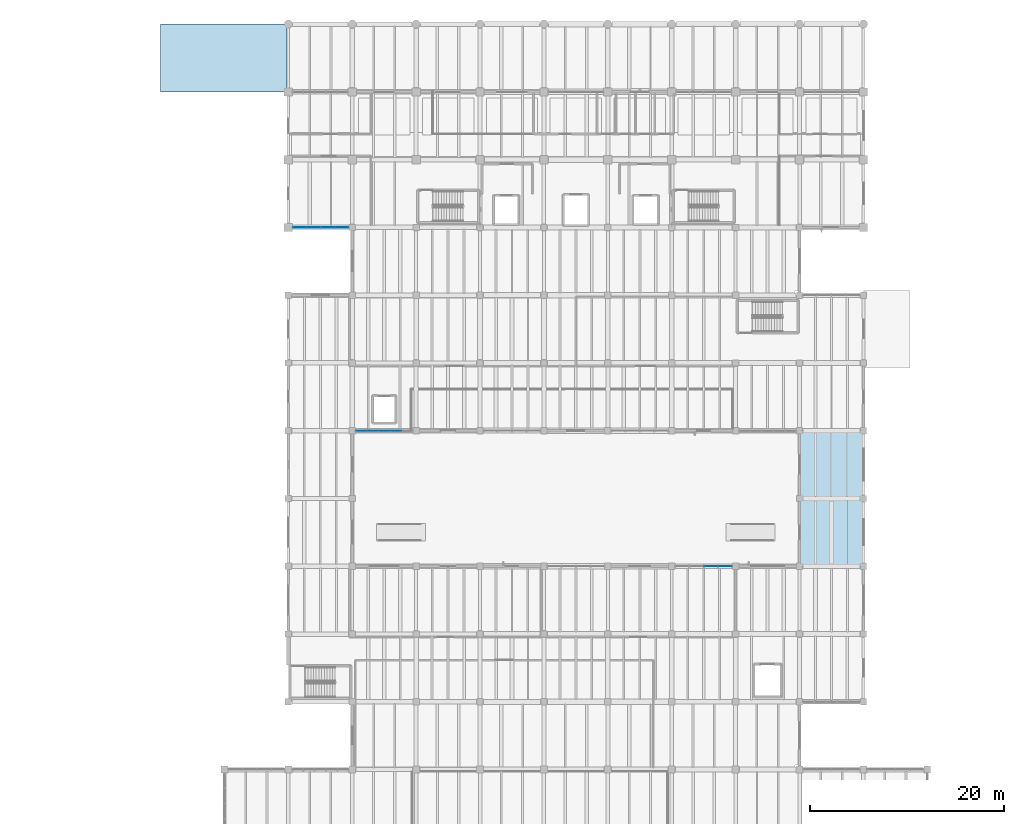
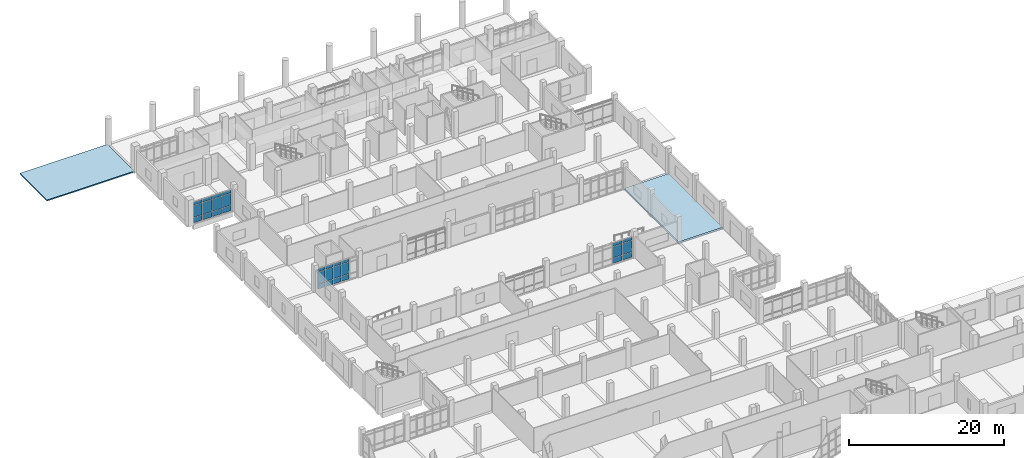
# One storey, part 38 of 69: 30 plates, 2 slabs, 3 elements without a shape of their own.
"""IFC4 building model written with IfcOpenShell, lengths in metres."""

from ifc_helpers import new_model, si_unit, direction, frame, origin, origin_2d, place, context, subcontext, project, spatial, polyline, rectangle, outline, extrude, material, layer, layer_set, type_object, element, aggregate, save


model = new_model("IFC4")

# Units and contexts
model_context = context("Model", 3, precision=1e-05, world=origin(), true_north=direction((0.0, 1.0)))
body_context = subcontext(model_context, "Body", "Model", "MODEL_VIEW")
ifc_project = project(units=[si_unit("LENGTHUNIT", "METRE"), si_unit("AREAUNIT", "SQUARE_METRE"), si_unit("VOLUMEUNIT", "CUBIC_METRE"), si_unit("PLANEANGLEUNIT", "RADIAN"), si_unit("MASSUNIT", "GRAM", prefix="KILO")], contexts=[model_context])

# Site, building, storey
site_placement = place(None, origin())
site = spatial("IfcSite", under=ifc_project, at=site_placement, CompositionType="ELEMENT")
building_placement = place(site_placement, origin())
building = spatial("IfcBuilding", under=site, at=building_placement, Name="Ciguamira Faculty of Natural Sciences", CompositionType="ELEMENT")
storey_placement = place(building_placement, origin())
storey = spatial("IfcBuildingStorey", under=building, at=storey_placement, Name="L00", CompositionType="ELEMENT", Elevation=0.0)

# Curtain wall, plates
ifc_material_1 = material(Name="Anodized aluminium curtain wall", Category="aluminium")
curtain_wall_type_1 = type_object("IfcCurtainWallType", Name="CurtainWall_CW-11", PredefinedType="USERDEFINED", material=ifc_material_1)
curtain_wall_1_placement = place(storey_placement, origin())
curtain_wall_1 = element("IfcCurtainWall", 1, at=curtain_wall_1_placement, inside=storey, type_object=curtain_wall_type_1, Name="L00 unitised curtain wall 0011", ObjectType="UNITISED CURTAIN WALL", PredefinedType="USERDEFINED")
ifc_material_2 = material(Name="Low-E laminated solar glass", Category="glass")
ifc_layer_1 = layer(ifc_material_2, 0.028076171875, Name="Low-E laminated solar glass")
ifc_layer_set_1 = layer_set([ifc_layer_1], Name="Low-E laminated solar glass")
plate_type_1 = type_object("IfcPlateType", Name="CWPanel_CWP-01", PredefinedType="CURTAIN_PANEL", material=ifc_layer_set_1)
plate_1_placement = place(storey_placement, frame((100.94384765625, 59.0, 0.070068359375), z_axis=(0.0, 0.0, 1.0), x_axis=(1.0, 0.0, 0.0)))
plate_1 = element("IfcPlate", 2, at=plate_1_placement, type_object=plate_type_1, Name="CW-11 panel 3.1", PredefinedType="CURTAIN_PANEL", context=body_context, shape_type="SweptSolid", body=[
    extrude(rectangle(XDim=1.41748046875, YDim=0.028076171875, at=origin_2d()), origin(), (0.0, 0.0, 1.0), 0.794921875),
])
plate_2_placement = place(storey_placement, frame((100.94384765625, 59.0, 0.93505859375), z_axis=(0.0, 0.0, 1.0), x_axis=(1.0, 0.0, 0.0)))
plate_2 = element("IfcPlate", 3, at=plate_2_placement, type_object=plate_type_1, Name="CW-11 panel 3.2", PredefinedType="CURTAIN_PANEL", context=body_context, shape_type="SweptSolid", body=[
    extrude(rectangle(XDim=1.41748046875, YDim=0.028076171875, at=origin_2d()), origin(), (0.0, 0.0, 1.0), 1.764892578125),
])
plate_3_placement = place(storey_placement, frame((100.94384765625, 59.0, 2.77001953125), z_axis=(0.0, 0.0, 1.0), x_axis=(1.0, 0.0, 0.0)))
plate_3 = element("IfcPlate", 4, at=plate_3_placement, type_object=plate_type_1, Name="CW-11 panel 3.3", PredefinedType="CURTAIN_PANEL", context=body_context, shape_type="SweptSolid", body=[
    extrude(rectangle(XDim=1.41748046875, YDim=0.028076171875, at=origin_2d()), origin(), (0.0, 0.0, 1.0), 0.445068359375),
])
plate_4_placement = place(storey_placement, frame((102.413818359375, 59.0, 0.070068359375), z_axis=(0.0, 0.0, 1.0), x_axis=(1.0, 0.0, 0.0)))
plate_4 = element("IfcPlate", 5, at=plate_4_placement, type_object=plate_type_1, Name="CW-11 panel 4.1", PredefinedType="CURTAIN_PANEL", context=body_context, shape_type="SweptSolid", body=[
    extrude(rectangle(XDim=1.382568359375, YDim=0.028076171875, at=origin_2d()), origin(), (0.0, 0.0, 1.0), 0.794921875),
])
plate_5_placement = place(storey_placement, frame((102.413818359375, 59.0, 0.93505859375), z_axis=(0.0, 0.0, 1.0), x_axis=(1.0, 0.0, 0.0)))
plate_5 = element("IfcPlate", 6, at=plate_5_placement, type_object=plate_type_1, Name="CW-11 panel 4.2", PredefinedType="CURTAIN_PANEL", context=body_context, shape_type="SweptSolid", body=[
    extrude(rectangle(XDim=1.382568359375, YDim=0.028076171875, at=origin_2d()), origin(), (0.0, 0.0, 1.0), 1.764892578125),
])
plate_6_placement = place(storey_placement, frame((102.413818359375, 59.0, 2.77001953125), z_axis=(0.0, 0.0, 1.0), x_axis=(1.0, 0.0, 0.0)))
plate_6 = element("IfcPlate", 7, at=plate_6_placement, type_object=plate_type_1, Name="CW-11 panel 4.3", PredefinedType="CURTAIN_PANEL", context=body_context, shape_type="SweptSolid", body=[
    extrude(rectangle(XDim=1.382568359375, YDim=0.028076171875, at=origin_2d()), origin(), (0.0, 0.0, 1.0), 0.445068359375),
])
aggregate(curtain_wall_1, [plate_1, plate_2, plate_3, plate_4, plate_5, plate_6])

curtain_wall_type_2 = type_object("IfcCurtainWallType", Name="CurtainWall_CW-05", PredefinedType="USERDEFINED", material=ifc_material_1)
curtain_wall_2_placement = place(storey_placement, origin())
curtain_wall_2 = element("IfcCurtainWall", 8, at=curtain_wall_2_placement, inside=storey, type_object=curtain_wall_type_2, Name="L00 unitised curtain wall 0017", ObjectType="UNITISED CURTAIN WALL", PredefinedType="USERDEFINED")
plate_7_placement = place(storey_placement, frame((58.4736328125, 94.0, 0.070068359375), z_axis=(0.0, 0.0, 1.0), x_axis=(1.0, 0.0, 0.0)))
plate_7 = element("IfcPlate", 9, at=plate_7_placement, type_object=plate_type_1, Name="CW-05 panel 1.1", PredefinedType="CURTAIN_PANEL", context=body_context, shape_type="SweptSolid", body=[
    extrude(rectangle(XDim=1.357421875, YDim=0.028076171875, at=origin_2d()), origin(), (0.0, 0.0, 1.0), 0.794921875),
])
plate_8_placement = place(storey_placement, frame((58.4736328125, 94.0, 0.93505859375), z_axis=(0.0, 0.0, 1.0), x_axis=(1.0, 0.0, 0.0)))
plate_8 = element("IfcPlate", 10, at=plate_8_placement, type_object=plate_type_1, Name="CW-05 panel 1.2", PredefinedType="CURTAIN_PANEL", context=body_context, shape_type="SweptSolid", body=[
    extrude(rectangle(XDim=1.357421875, YDim=0.028076171875, at=origin_2d()), origin(), (0.0, 0.0, 1.0), 1.864990234375),
])
plate_9_placement = place(storey_placement, frame((58.4736328125, 94.0, 2.8701171875), z_axis=(0.0, 0.0, 1.0), x_axis=(1.0, 0.0, 0.0)))
plate_9 = element("IfcPlate", 11, at=plate_9_placement, type_object=plate_type_1, Name="CW-05 panel 1.3", PredefinedType="CURTAIN_PANEL", context=body_context, shape_type="SweptSolid", body=[
    extrude(rectangle(XDim=1.357421875, YDim=0.028076171875, at=origin_2d()), origin(), (0.0, 0.0, 1.0), 0.445068359375),
])
plate_10_placement = place(storey_placement, frame((59.918701171875, 94.0, 0.070068359375), z_axis=(0.0, 0.0, 1.0), x_axis=(1.0, 0.0, 0.0)))
plate_10 = element("IfcPlate", 12, at=plate_10_placement, type_object=plate_type_1, Name="CW-05 panel 2.1", PredefinedType="CURTAIN_PANEL", context=body_context, shape_type="SweptSolid", body=[
    extrude(rectangle(XDim=1.392578125, YDim=0.028076171875, at=origin_2d()), origin(), (0.0, 0.0, 1.0), 0.794921875),
])
plate_11_placement = place(storey_placement, frame((59.918701171875, 94.0, 0.93505859375), z_axis=(0.0, 0.0, 1.0), x_axis=(1.0, 0.0, 0.0)))
plate_11 = element("IfcPlate", 13, at=plate_11_placement, type_object=plate_type_1, Name="CW-05 panel 2.2", PredefinedType="CURTAIN_PANEL", context=body_context, shape_type="SweptSolid", body=[
    extrude(rectangle(XDim=1.392578125, YDim=0.028076171875, at=origin_2d()), origin(), (0.0, 0.0, 1.0), 1.864990234375),
])
plate_12_placement = place(storey_placement, frame((59.918701171875, 94.0, 2.8701171875), z_axis=(0.0, 0.0, 1.0), x_axis=(1.0, 0.0, 0.0)))
plate_12 = element("IfcPlate", 14, at=plate_12_placement, type_object=plate_type_1, Name="CW-05 panel 2.3", PredefinedType="CURTAIN_PANEL", context=body_context, shape_type="SweptSolid", body=[
    extrude(rectangle(XDim=1.392578125, YDim=0.028076171875, at=origin_2d()), origin(), (0.0, 0.0, 1.0), 0.445068359375),
])
plate_13_placement = place(storey_placement, frame((61.38134765625, 94.0, 0.070068359375), z_axis=(0.0, 0.0, 1.0), x_axis=(1.0, 0.0, 0.0)))
plate_13 = element("IfcPlate", 15, at=plate_13_placement, type_object=plate_type_1, Name="CW-05 panel 3.1", PredefinedType="CURTAIN_PANEL", context=body_context, shape_type="SweptSolid", body=[
    extrude(rectangle(XDim=1.392578125, YDim=0.028076171875, at=origin_2d()), origin(), (0.0, 0.0, 1.0), 0.794921875),
])
plate_14_placement = place(storey_placement, frame((61.38134765625, 94.0, 0.93505859375), z_axis=(0.0, 0.0, 1.0), x_axis=(1.0, 0.0, 0.0)))
plate_14 = element("IfcPlate", 16, at=plate_14_placement, type_object=plate_type_1, Name="CW-05 panel 3.2", PredefinedType="CURTAIN_PANEL", context=body_context, shape_type="SweptSolid", body=[
    extrude(rectangle(XDim=1.392578125, YDim=0.028076171875, at=origin_2d()), origin(), (0.0, 0.0, 1.0), 1.864990234375),
])
plate_15_placement = place(storey_placement, frame((61.38134765625, 94.0, 2.8701171875), z_axis=(0.0, 0.0, 1.0), x_axis=(1.0, 0.0, 0.0)))
plate_15 = element("IfcPlate", 17, at=plate_15_placement, type_object=plate_type_1, Name="CW-05 panel 3.3", PredefinedType="CURTAIN_PANEL", context=body_context, shape_type="SweptSolid", body=[
    extrude(rectangle(XDim=1.392578125, YDim=0.028076171875, at=origin_2d()), origin(), (0.0, 0.0, 1.0), 0.445068359375),
])
plate_16_placement = place(storey_placement, frame((62.826171875, 94.0, 0.070068359375), z_axis=(0.0, 0.0, 1.0), x_axis=(1.0, 0.0, 0.0)))
plate_16 = element("IfcPlate", 18, at=plate_16_placement, type_object=plate_type_1, Name="CW-05 panel 4.1", PredefinedType="CURTAIN_PANEL", context=body_context, shape_type="SweptSolid", body=[
    extrude(rectangle(XDim=1.357421875, YDim=0.028076171875, at=origin_2d()), origin(), (0.0, 0.0, 1.0), 0.794921875),
])
plate_17_placement = place(storey_placement, frame((62.826171875, 94.0, 0.93505859375), z_axis=(0.0, 0.0, 1.0), x_axis=(1.0, 0.0, 0.0)))
plate_17 = element("IfcPlate", 19, at=plate_17_placement, type_object=plate_type_1, Name="CW-05 panel 4.2", PredefinedType="CURTAIN_PANEL", context=body_context, shape_type="SweptSolid", body=[
    extrude(rectangle(XDim=1.357421875, YDim=0.028076171875, at=origin_2d()), origin(), (0.0, 0.0, 1.0), 1.864990234375),
])
plate_18_placement = place(storey_placement, frame((62.826171875, 94.0, 2.8701171875), z_axis=(0.0, 0.0, 1.0), x_axis=(1.0, 0.0, 0.0)))
plate_18 = element("IfcPlate", 20, at=plate_18_placement, type_object=plate_type_1, Name="CW-05 panel 4.3", PredefinedType="CURTAIN_PANEL", context=body_context, shape_type="SweptSolid", body=[
    extrude(rectangle(XDim=1.357421875, YDim=0.028076171875, at=origin_2d()), origin(), (0.0, 0.0, 1.0), 0.445068359375),
])
aggregate(curtain_wall_2, [plate_7, plate_8, plate_9, plate_10, plate_11, plate_12, plate_13, plate_14, plate_15, plate_16, plate_17, plate_18])

curtain_wall_type_3 = type_object("IfcCurtainWallType", Name="CurtainWall_CW-12", PredefinedType="USERDEFINED", material=ifc_material_1)
curtain_wall_3_placement = place(storey_placement, origin())
curtain_wall_3 = element("IfcCurtainWall", 21, at=curtain_wall_3_placement, inside=storey, type_object=curtain_wall_type_3, Name="L00 unitised curtain wall 0012", ObjectType="UNITISED CURTAIN WALL", PredefinedType="USERDEFINED")
ifc_layer_2 = layer(ifc_material_2, 0.035888671875, Name="Low-E laminated solar glass")
ifc_layer_set_2 = layer_set([ifc_layer_2], Name="Low-E laminated solar glass")
plate_type_2 = type_object("IfcPlateType", Name="CWPanel_CWP-02", PredefinedType="CURTAIN_PANEL", material=ifc_layer_set_2)
plate_19_placement = place(storey_placement, frame((64.840087890625, 73.0, 0.080078125), z_axis=(0.0, 0.0, 1.0), x_axis=(1.0, 0.0, 0.0)))
plate_19 = element("IfcPlate", 22, at=plate_19_placement, type_object=plate_type_2, Name="CW-12 panel 1.1", PredefinedType="CURTAIN_PANEL", context=body_context, shape_type="SweptSolid", body=[
    extrude(rectangle(XDim=1.070068359375, YDim=0.035888671875, at=origin_2d()), origin(), (0.0, 0.0, 1.0), 0.780029296875),
])
plate_20_placement = place(storey_placement, frame((64.840087890625, 73.0, 0.93994140625), z_axis=(0.0, 0.0, 1.0), x_axis=(1.0, 0.0, 0.0)))
plate_20 = element("IfcPlate", 23, at=plate_20_placement, type_object=plate_type_2, Name="CW-12 panel 1.2", PredefinedType="CURTAIN_PANEL", context=body_context, shape_type="SweptSolid", body=[
    extrude(rectangle(XDim=1.070068359375, YDim=0.035888671875, at=origin_2d()), origin(), (0.0, 0.0, 1.0), 1.81494140625),
])
plate_21_placement = place(storey_placement, frame((64.840087890625, 73.0, 2.8349609375), z_axis=(0.0, 0.0, 1.0), x_axis=(1.0, 0.0, 0.0)))
plate_21 = element("IfcPlate", 24, at=plate_21_placement, type_object=plate_type_2, Name="CW-12 panel 1.3", PredefinedType="CURTAIN_PANEL", context=body_context, shape_type="SweptSolid", body=[
    extrude(rectangle(XDim=1.070068359375, YDim=0.035888671875, at=origin_2d()), origin(), (0.0, 0.0, 1.0), 0.429931640625),
])
plate_22_placement = place(storey_placement, frame((66.010009765625, 73.0, 0.080078125), z_axis=(0.0, 0.0, 1.0), x_axis=(1.0, 0.0, 0.0)))
plate_22 = element("IfcPlate", 25, at=plate_22_placement, type_object=plate_type_2, Name="CW-12 panel 2.1", PredefinedType="CURTAIN_PANEL", context=body_context, shape_type="SweptSolid", body=[
    extrude(rectangle(XDim=1.110107421875, YDim=0.035888671875, at=origin_2d()), origin(), (0.0, 0.0, 1.0), 0.780029296875),
])
plate_23_placement = place(storey_placement, frame((66.010009765625, 73.0, 0.93994140625), z_axis=(0.0, 0.0, 1.0), x_axis=(1.0, 0.0, 0.0)))
plate_23 = element("IfcPlate", 26, at=plate_23_placement, type_object=plate_type_2, Name="CW-12 panel 2.2", PredefinedType="CURTAIN_PANEL", context=body_context, shape_type="SweptSolid", body=[
    extrude(rectangle(XDim=1.110107421875, YDim=0.035888671875, at=origin_2d()), origin(), (0.0, 0.0, 1.0), 1.81494140625),
])
plate_24_placement = place(storey_placement, frame((66.010009765625, 73.0, 2.8349609375), z_axis=(0.0, 0.0, 1.0), x_axis=(1.0, 0.0, 0.0)))
plate_24 = element("IfcPlate", 27, at=plate_24_placement, type_object=plate_type_2, Name="CW-12 panel 2.3", PredefinedType="CURTAIN_PANEL", context=body_context, shape_type="SweptSolid", body=[
    extrude(rectangle(XDim=1.110107421875, YDim=0.035888671875, at=origin_2d()), origin(), (0.0, 0.0, 1.0), 0.429931640625),
])
plate_25_placement = place(storey_placement, frame((67.199951171875, 73.0, 0.080078125), z_axis=(0.0, 0.0, 1.0), x_axis=(1.0, 0.0, 0.0)))
plate_25 = element("IfcPlate", 28, at=plate_25_placement, type_object=plate_type_2, Name="CW-12 panel 3.1", PredefinedType="CURTAIN_PANEL", context=body_context, shape_type="SweptSolid", body=[
    extrude(rectangle(XDim=1.110107421875, YDim=0.035888671875, at=origin_2d()), origin(), (0.0, 0.0, 1.0), 0.780029296875),
])
plate_26_placement = place(storey_placement, frame((67.199951171875, 73.0, 0.93994140625), z_axis=(0.0, 0.0, 1.0), x_axis=(1.0, 0.0, 0.0)))
plate_26 = element("IfcPlate", 29, at=plate_26_placement, type_object=plate_type_2, Name="CW-12 panel 3.2", PredefinedType="CURTAIN_PANEL", context=body_context, shape_type="SweptSolid", body=[
    extrude(rectangle(XDim=1.110107421875, YDim=0.035888671875, at=origin_2d()), origin(), (0.0, 0.0, 1.0), 1.81494140625),
])
plate_27_placement = place(storey_placement, frame((67.199951171875, 73.0, 2.8349609375), z_axis=(0.0, 0.0, 1.0), x_axis=(1.0, 0.0, 0.0)))
plate_27 = element("IfcPlate", 30, at=plate_27_placement, type_object=plate_type_2, Name="CW-12 panel 3.3", PredefinedType="CURTAIN_PANEL", context=body_context, shape_type="SweptSolid", body=[
    extrude(rectangle(XDim=1.110107421875, YDim=0.035888671875, at=origin_2d()), origin(), (0.0, 0.0, 1.0), 0.429931640625),
])
plate_28_placement = place(storey_placement, frame((68.389892578125, 73.0, 0.080078125), z_axis=(0.0, 0.0, 1.0), x_axis=(1.0, 0.0, 0.0)))
plate_28 = element("IfcPlate", 31, at=plate_28_placement, type_object=plate_type_2, Name="CW-12 panel 4.1", PredefinedType="CURTAIN_PANEL", context=body_context, shape_type="SweptSolid", body=[
    extrude(rectangle(XDim=1.110107421875, YDim=0.035888671875, at=origin_2d()), origin(), (0.0, 0.0, 1.0), 0.780029296875),
])
plate_29_placement = place(storey_placement, frame((68.389892578125, 73.0, 0.93994140625), z_axis=(0.0, 0.0, 1.0), x_axis=(1.0, 0.0, 0.0)))
plate_29 = element("IfcPlate", 32, at=plate_29_placement, type_object=plate_type_2, Name="CW-12 panel 4.2", PredefinedType="CURTAIN_PANEL", context=body_context, shape_type="SweptSolid", body=[
    extrude(rectangle(XDim=1.110107421875, YDim=0.035888671875, at=origin_2d()), origin(), (0.0, 0.0, 1.0), 1.81494140625),
])
plate_30_placement = place(storey_placement, frame((68.389892578125, 73.0, 2.8349609375), z_axis=(0.0, 0.0, 1.0), x_axis=(1.0, 0.0, 0.0)))
plate_30 = element("IfcPlate", 33, at=plate_30_placement, type_object=plate_type_2, Name="CW-12 panel 4.3", PredefinedType="CURTAIN_PANEL", context=body_context, shape_type="SweptSolid", body=[
    extrude(rectangle(XDim=1.110107421875, YDim=0.035888671875, at=origin_2d()), origin(), (0.0, 0.0, 1.0), 0.429931640625),
])
aggregate(curtain_wall_3, [plate_19, plate_20, plate_21, plate_22, plate_23, plate_24, plate_25, plate_26, plate_27, plate_28, plate_29, plate_30])

# Slabs
ifc_material_3 = material(Name="Precast concrete C35/45", Category="concrete")
ifc_layer_3 = layer(ifc_material_3, 0.179931640625, Name="Precast concrete C35/45")
ifc_layer_set_3 = layer_set([ifc_layer_3], Name="Precast concrete C35/45")
slab_type_1 = type_object("IfcSlabType", Name="PavingSlab_PV01", PredefinedType="BASESLAB", material=ifc_layer_set_3)
slab_1_placement = place(storey_placement, frame((0.0, 0.0, -0.179931640625)))
element("IfcSlab", 34, at=slab_1_placement, inside=storey, type_object=slab_type_1, Name="North Academic Boulevard Sidewalk", PredefinedType="BASESLAB", context=body_context, shape_type="SweptSolid", body=[
    extrude(outline(polyline([(44.10009765625, 108.0), (57.14990234375, 108.0), (57.14990234375, 115.0), (44.10009765625, 115.0), (44.10009765625, 108.0)])), origin(), (0.0, 0.0, 1.0), 0.179931640625),
])
ifc_material_4 = material(Name="Concrete C40/50", Category="concrete")
ifc_layer_4 = layer(ifc_material_4, 0.300048828125, Name="Concrete C40/50")
ifc_layer_set_4 = layer_set([ifc_layer_4], Name="Concrete C40/50")
slab_type_2 = type_object("IfcSlabType", Name="Slab_SF-02_300", PredefinedType="FLOOR", material=ifc_layer_set_4)
slab_2_placement = place(storey_placement, frame((0.0, 0.0, -0.300048828125)))
element("IfcSlab", 35, at=slab_2_placement, inside=storey, type_object=slab_type_2, Name="L00 V4E structural slab", PredefinedType="FLOOR", context=body_context, shape_type="SweptSolid", body=[
    extrude(outline(polyline([(110.10009765625, 59.0), (116.699951171875, 59.0), (116.699951171875, 73.0), (110.10009765625, 73.0), (110.10009765625, 59.0)])), origin(), (0.0, 0.0, 1.0), 0.300048828125),
])

save(model, "model.ifc")
